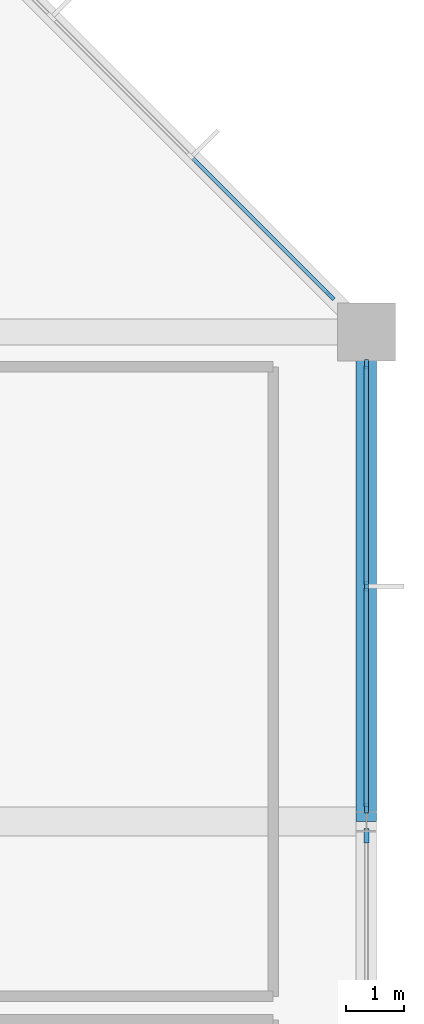
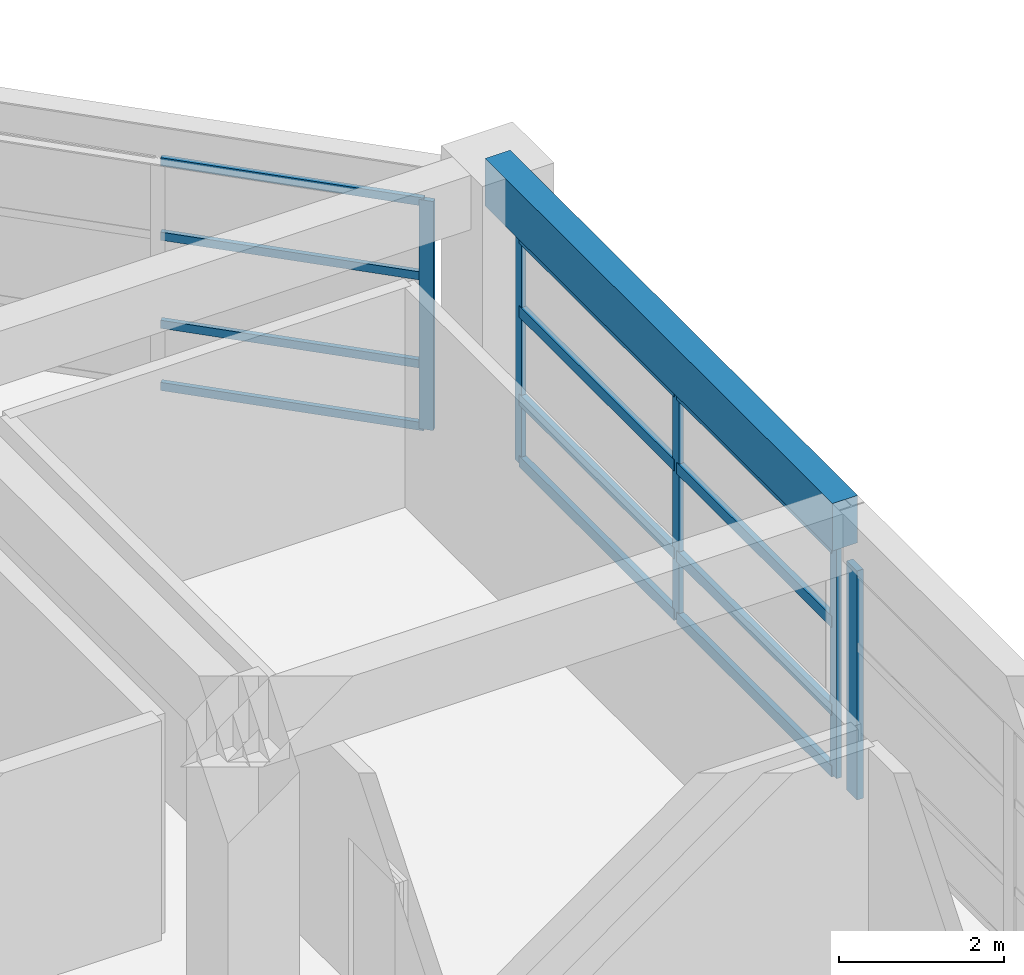
# One storey, part 10 of 16: 17 members, 1 beam, 3 elements without a shape of their own.
"""IFC4 building model written with IfcOpenShell, lengths in metres."""

from ifc_helpers import new_model, si_unit, direction, frame, origin, origin_2d, place, context, subcontext, project, spatial, rectangle, extrude, material, material_profile, profile_set, type_object, element, aggregate, save


model = new_model("IFC4")

# Units and contexts
model_context = context("Model", 3, precision=1e-05, world=origin(), true_north=direction((0.0, 1.0)))
body_context = subcontext(model_context, "Body", "Model", "MODEL_VIEW")
ifc_project = project(units=[si_unit("LENGTHUNIT", "METRE"), si_unit("AREAUNIT", "SQUARE_METRE"), si_unit("VOLUMEUNIT", "CUBIC_METRE"), si_unit("PLANEANGLEUNIT", "RADIAN"), si_unit("MASSUNIT", "GRAM", prefix="KILO")], contexts=[model_context])

# Site, building, storey
site_placement = place(None, origin())
site = spatial("IfcSite", under=ifc_project, at=site_placement, CompositionType="ELEMENT")
building_placement = place(site_placement, origin())
building = spatial("IfcBuilding", under=site, at=building_placement, Name="Xuanlan Plaza Opera House", CompositionType="ELEMENT")
storey_placement = place(building_placement, frame((0.0, 0.0, 48.89990234375)))
storey = spatial("IfcBuildingStorey", under=building, at=storey_placement, Name="L11", CompositionType="ELEMENT", Elevation=48.89990234375)

# Curtain wall, members
ifc_material_1 = material(Name="Anodised Aluminium 6063-T6 and Low-E Glass", Category="aluminium")
curtain_wall_type_1 = type_object("IfcCurtainWallType", Name="ENV-CW-CW-01", PredefinedType="USERDEFINED", material=ifc_material_1)
curtain_wall_1_placement = place(storey_placement, origin())
curtain_wall_1 = element("IfcCurtainWall", 1, at=curtain_wall_1_placement, inside=storey, type_object=curtain_wall_type_1, Name="Unitised Curtain Wall L11-008", ObjectType="UNITISED CURTAIN WALL", PredefinedType="USERDEFINED")
ifc_material_2 = material(Name="Anodised Aluminium 6063-T6", Category="aluminium")
ifc_material_profile_1 = material_profile(ifc_material_2, rectangle(XDim=0.06494140625, YDim=0.159912109375, at=origin_2d()), Name="ALU-M 65x160")
ifc_profile_set_1 = profile_set([ifc_material_profile_1], Name="Anodised Aluminium 6063-T6")
member_type_1 = type_object("IfcMemberType", Name="ENV-CWM-01", PredefinedType="MULLION", material=ifc_profile_set_1)
member_1_placement = place(storey_placement, frame((159.60009765625, 67.427490234375, 0.0), z_axis=(0.0, 0.0, 1.0), x_axis=(-1.0, 0.0, 0.0)))
member_1 = element("IfcMember", 2, at=member_1_placement, type_object=member_type_1, Name="CW-01 mullion 1", PredefinedType="MULLION", context=body_context, shape_type="SweptSolid", body=[
    extrude(rectangle(XDim=0.06494140625, YDim=0.159912109375, at=origin_2d()), origin(), (0.0, 0.0, 1.0), 3.380126953125),
])
member_2_placement = place(storey_placement, frame((159.60009765625, 71.237548828125, 0.0), z_axis=(0.0, 0.0, 1.0), x_axis=(-1.0, 0.0, 0.0)))
member_2 = element("IfcMember", 3, at=member_2_placement, type_object=member_type_1, Name="CW-01 mullion 2", PredefinedType="MULLION", context=body_context, shape_type="SweptSolid", body=[
    extrude(rectangle(XDim=0.06494140625, YDim=0.159912109375, at=origin_2d()), origin(), (0.0, 0.0, 1.0), 3.380126953125),
])
member_3_placement = place(storey_placement, frame((159.60009765625, 75.047607421875, 0.0), z_axis=(0.0, 0.0, 1.0), x_axis=(-1.0, 0.0, 0.0)))
member_3 = element("IfcMember", 4, at=member_3_placement, type_object=member_type_1, Name="CW-01 mullion 3", PredefinedType="MULLION", context=body_context, shape_type="SweptSolid", body=[
    extrude(rectangle(XDim=0.06494140625, YDim=0.159912109375, at=origin_2d()), origin(), (0.0, 0.0, 1.0), 3.380126953125),
])

# Curtain wall, member
curtain_wall_type_2 = type_object("IfcCurtainWallType", Name="ENV-CW-CW-02", PredefinedType="USERDEFINED", material=ifc_material_1)
curtain_wall_2_placement = place(storey_placement, origin())
curtain_wall_2 = element("IfcCurtainWall", 5, at=curtain_wall_2_placement, inside=storey, type_object=curtain_wall_type_2, Name="Unitised Curtain Wall L11-009", ObjectType="UNITISED CURTAIN WALL", PredefinedType="USERDEFINED")
ifc_material_profile_2 = material_profile(ifc_material_2, rectangle(XDim=0.070068359375, YDim=0.179931640625, at=origin_2d()), Name="ALU-M 70x180")
ifc_profile_set_2 = profile_set([ifc_material_profile_2], Name="Anodised Aluminium 6063-T6")
member_type_2 = type_object("IfcMemberType", Name="ENV-CWM-02", PredefinedType="MULLION", material=ifc_profile_set_2)
member_4_placement = place(storey_placement, frame((158.976318359375, 76.2236328125, 0.0), z_axis=(0.0, 0.0, 1.0), x_axis=(-0.707106781187, -0.707106781187, 0.0)))
member_4 = element("IfcMember", 6, at=member_4_placement, type_object=member_type_2, Name="CW-02 mullion 1", PredefinedType="MULLION", context=body_context, shape_type="SweptSolid", body=[
    extrude(rectangle(XDim=0.070068359375, YDim=0.179931640625, at=origin_2d()), origin(), (0.0, 0.0, 1.0), 3.380126953125),
])

curtain_wall_type_3 = type_object("IfcCurtainWallType", Name="ENV-CW-CW-04", PredefinedType="USERDEFINED", material=ifc_material_1)
curtain_wall_3_placement = place(storey_placement, origin())
curtain_wall_3 = element("IfcCurtainWall", 7, at=curtain_wall_3_placement, inside=storey, type_object=curtain_wall_type_3, Name="Unitised Curtain Wall L11-007", ObjectType="UNITISED CURTAIN WALL", PredefinedType="USERDEFINED")
ifc_material_profile_3 = material_profile(ifc_material_2, rectangle(XDim=0.090087890625, YDim=0.25, at=origin_2d()), Name="ALU-M 90x250")
ifc_profile_set_3 = profile_set([ifc_material_profile_3], Name="Anodised Aluminium 6063-T6")
member_type_3 = type_object("IfcMemberType", Name="ENV-CWM-05", PredefinedType="MULLION", material=ifc_profile_set_3)
member_5_placement = place(storey_placement, frame((159.60009765625, 66.9599609375, 0.0), z_axis=(0.0, 0.0, 1.0), x_axis=(-1.0, 0.0, 0.0)))
member_5 = element("IfcMember", 8, at=member_5_placement, type_object=member_type_3, Name="CW-04 mullion 3", PredefinedType="MULLION", context=body_context, shape_type="SweptSolid", body=[
    extrude(rectangle(XDim=0.090087890625, YDim=0.25, at=origin_2d()), origin(), (0.0, 0.0, 1.0), 3.380126953125),
])
aggregate(curtain_wall_3, [member_5])

# Member
ifc_material_profile_4 = material_profile(ifc_material_2, rectangle(XDim=0.06494140625, YDim=0.1201171875, at=origin_2d()), Name="ALU-T 65x120")
ifc_profile_set_4 = profile_set([ifc_material_profile_4], Name="Anodised Aluminium 6063-T6")
member_type_4 = type_object("IfcMemberType", Name="ENV-CWT-01", PredefinedType="USERDEFINED", material=ifc_profile_set_4)
member_6_placement = place(storey_placement, frame((158.951416015625, 76.24853515625, 0.03271484375), z_axis=(-0.707106781187, 0.707106781187, 0.0), x_axis=(-0.707106781187, -0.707106781187, 0.0)))
member_6 = element("IfcMember", 9, at=member_6_placement, type_object=member_type_4, Name="CW-02 transom 1.1", ObjectType="TRANSOM", PredefinedType="USERDEFINED", context=body_context, shape_type="SweptSolid", body=[
    extrude(rectangle(XDim=0.06494140625, YDim=0.1201171875, at=origin_2d()), origin(), (0.0, 0.0, 1.0), 3.2900390625),
])

member_7_placement = place(storey_placement, frame((158.951416015625, 76.24853515625, 0.9501953125), z_axis=(-0.707106781187, 0.707106781187, 0.0), x_axis=(-0.707106781187, -0.707106781187, 0.0)))
member_7 = element("IfcMember", 10, at=member_7_placement, type_object=member_type_4, Name="CW-02 transom 1.2", ObjectType="TRANSOM", PredefinedType="USERDEFINED", context=body_context, shape_type="SweptSolid", body=[
    extrude(rectangle(XDim=0.06494140625, YDim=0.1201171875, at=origin_2d()), origin(), (0.0, 0.0, 1.0), 3.2900390625),
])

member_8_placement = place(storey_placement, frame((158.951416015625, 76.24853515625, 2.25), z_axis=(-0.707106781187, 0.707106781187, 0.0), x_axis=(-0.707106781187, -0.707106781187, 0.0)))
member_8 = element("IfcMember", 11, at=member_8_placement, type_object=member_type_4, Name="CW-02 transom 1.3", ObjectType="TRANSOM", PredefinedType="USERDEFINED", context=body_context, shape_type="SweptSolid", body=[
    extrude(rectangle(XDim=0.06494140625, YDim=0.1201171875, at=origin_2d()), origin(), (0.0, 0.0, 1.0), 3.2900390625),
])

member_9_placement = place(storey_placement, frame((158.951416015625, 76.24853515625, 3.34765625), z_axis=(-0.707106781187, 0.707106781187, 0.0), x_axis=(-0.707106781187, -0.707106781187, 0.0)))
member_9 = element("IfcMember", 12, at=member_9_placement, type_object=member_type_4, Name="CW-02 transom 1.4", ObjectType="TRANSOM", PredefinedType="USERDEFINED", context=body_context, shape_type="SweptSolid", body=[
    extrude(rectangle(XDim=0.06494140625, YDim=0.1201171875, at=origin_2d()), origin(), (0.0, 0.0, 1.0), 3.2900390625),
])

aggregate(curtain_wall_2, [member_4, member_6, member_7, member_8, member_9])

ifc_material_profile_5 = material_profile(ifc_material_2, rectangle(XDim=0.080078125, YDim=0.1650390625, at=origin_2d()), Name="ALU-T 80x165")
ifc_profile_set_5 = profile_set([ifc_material_profile_5], Name="Anodised Aluminium 6063-T6")
member_type_5 = type_object("IfcMemberType", Name="ENV-CWT-04", PredefinedType="USERDEFINED", material=ifc_profile_set_5)
member_10_placement = place(storey_placement, frame((159.60009765625, 67.4599609375, 0.0400390625), z_axis=(0.0, 1.0, 0.0), x_axis=(-1.0, 0.0, 0.0)))
member_10 = element("IfcMember", 13, at=member_10_placement, type_object=member_type_5, Name="CW-01 transom 1.1", ObjectType="TRANSOM", PredefinedType="USERDEFINED", context=body_context, shape_type="SweptSolid", body=[
    extrude(rectangle(XDim=0.080078125, YDim=0.1650390625, at=origin_2d()), origin(), (0.0, 0.0, 1.0), 3.7451171875),
])

member_11_placement = place(storey_placement, frame((159.60009765625, 67.4599609375, 0.9501953125), z_axis=(0.0, 1.0, 0.0), x_axis=(-1.0, 0.0, 0.0)))
member_11 = element("IfcMember", 14, at=member_11_placement, type_object=member_type_5, Name="CW-01 transom 1.2", ObjectType="TRANSOM", PredefinedType="USERDEFINED", context=body_context, shape_type="SweptSolid", body=[
    extrude(rectangle(XDim=0.080078125, YDim=0.1650390625, at=origin_2d()), origin(), (0.0, 0.0, 1.0), 3.7451171875),
])

member_12_placement = place(storey_placement, frame((159.60009765625, 67.4599609375, 2.25), z_axis=(0.0, 1.0, 0.0), x_axis=(-1.0, 0.0, 0.0)))
member_12 = element("IfcMember", 15, at=member_12_placement, type_object=member_type_5, Name="CW-01 transom 1.3", ObjectType="TRANSOM", PredefinedType="USERDEFINED", context=body_context, shape_type="SweptSolid", body=[
    extrude(rectangle(XDim=0.080078125, YDim=0.1650390625, at=origin_2d()), origin(), (0.0, 0.0, 1.0), 3.7451171875),
])

member_13_placement = place(storey_placement, frame((159.60009765625, 67.4599609375, 3.340087890625), z_axis=(0.0, 1.0, 0.0), x_axis=(-1.0, 0.0, 0.0)))
member_13 = element("IfcMember", 16, at=member_13_placement, type_object=member_type_5, Name="CW-01 transom 1.4", ObjectType="TRANSOM", PredefinedType="USERDEFINED", context=body_context, shape_type="SweptSolid", body=[
    extrude(rectangle(XDim=0.080078125, YDim=0.1650390625, at=origin_2d()), origin(), (0.0, 0.0, 1.0), 3.7451171875),
])

member_14_placement = place(storey_placement, frame((159.60009765625, 71.27001953125, 0.0400390625), z_axis=(0.0, 1.0, 0.0), x_axis=(-1.0, 0.0, 0.0)))
member_14 = element("IfcMember", 17, at=member_14_placement, type_object=member_type_5, Name="CW-01 transom 2.1", ObjectType="TRANSOM", PredefinedType="USERDEFINED", context=body_context, shape_type="SweptSolid", body=[
    extrude(rectangle(XDim=0.080078125, YDim=0.1650390625, at=origin_2d()), origin(), (0.0, 0.0, 1.0), 3.744873046875),
])

member_15_placement = place(storey_placement, frame((159.60009765625, 71.27001953125, 0.9501953125), z_axis=(0.0, 1.0, 0.0), x_axis=(-1.0, 0.0, 0.0)))
member_15 = element("IfcMember", 18, at=member_15_placement, type_object=member_type_5, Name="CW-01 transom 2.2", ObjectType="TRANSOM", PredefinedType="USERDEFINED", context=body_context, shape_type="SweptSolid", body=[
    extrude(rectangle(XDim=0.080078125, YDim=0.1650390625, at=origin_2d()), origin(), (0.0, 0.0, 1.0), 3.744873046875),
])

member_16_placement = place(storey_placement, frame((159.60009765625, 71.27001953125, 2.25), z_axis=(0.0, 1.0, 0.0), x_axis=(-1.0, 0.0, 0.0)))
member_16 = element("IfcMember", 19, at=member_16_placement, type_object=member_type_5, Name="CW-01 transom 2.3", ObjectType="TRANSOM", PredefinedType="USERDEFINED", context=body_context, shape_type="SweptSolid", body=[
    extrude(rectangle(XDim=0.080078125, YDim=0.1650390625, at=origin_2d()), origin(), (0.0, 0.0, 1.0), 3.744873046875),
])

member_17_placement = place(storey_placement, frame((159.60009765625, 71.27001953125, 3.340087890625), z_axis=(0.0, 1.0, 0.0), x_axis=(-1.0, 0.0, 0.0)))
member_17 = element("IfcMember", 20, at=member_17_placement, type_object=member_type_5, Name="CW-01 transom 2.4", ObjectType="TRANSOM", PredefinedType="USERDEFINED", context=body_context, shape_type="SweptSolid", body=[
    extrude(rectangle(XDim=0.080078125, YDim=0.1650390625, at=origin_2d()), origin(), (0.0, 0.0, 1.0), 3.744873046875),
])

aggregate(curtain_wall_1, [member_1, member_2, member_3, member_10, member_11, member_12, member_13, member_14, member_15, member_16, member_17])

# Beam
ifc_material_3 = material(Name="Concrete C40", Category="concrete")
ifc_material_profile_6 = material_profile(ifc_material_3, rectangle(XDim=0.35009765625, YDim=0.699951171875, at=origin_2d()), Name="RC-SPD 350x700")
ifc_profile_set_6 = profile_set([ifc_material_profile_6], Name="Concrete C40")
beam_type = type_object("IfcBeamType", Name="STR-BM-SP-02", PredefinedType="SPANDREL", material=ifc_profile_set_6)
beam_placement = place(storey_placement, frame((159.60009765625, 67.199951171875, 3.85009765625), z_axis=(0.0, 1.0, 0.0), x_axis=(-1.0, 0.0, 0.0)))
element("IfcBeam", 21, at=beam_placement, inside=storey, type_object=beam_type, Name="Grid Beam Y L11 20/I-J", PredefinedType="SPANDREL", context=body_context, shape_type="SweptSolid", body=[
    extrude(rectangle(XDim=0.35009765625, YDim=0.699951171875, at=origin_2d()), origin(), (0.0, 0.0, 1.0), 8.400146484375),
])

save(model, "model.ifc")
